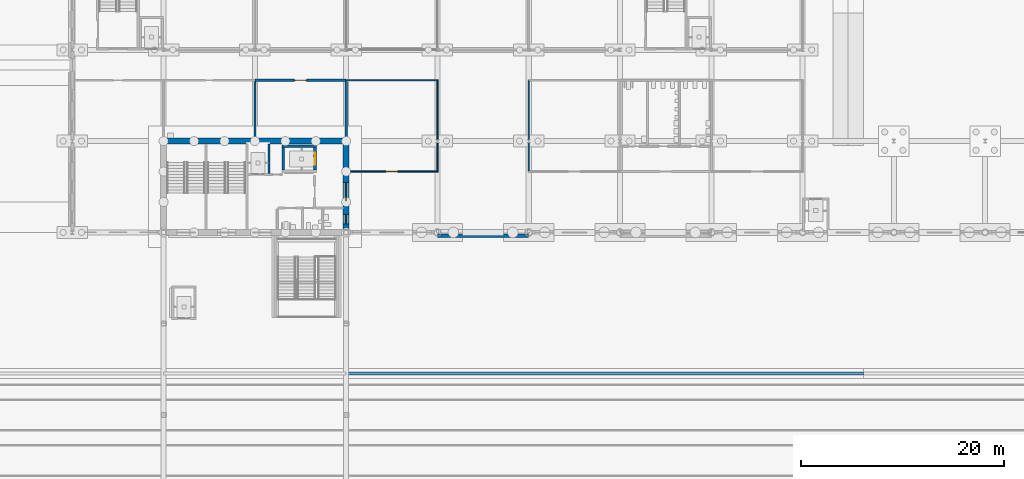
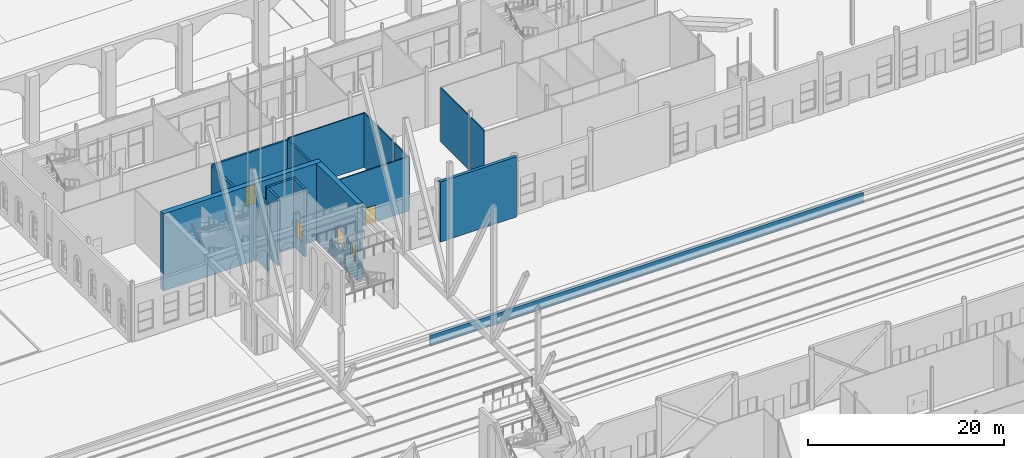
# One storey, part 109 of 250: 17 walls, 5 doors, 5 openings.
"""IFC4 building model written with IfcOpenShell, lengths in metres."""

from ifc_helpers import new_model, si_unit, direction, frame, frame_2d, origin, place, context, subcontext, project, spatial, polyline, rectangle, outline, extrude, material, layer, layer_set, type_object, element, fill, save


model = new_model("IFC4")

# Units and contexts
model_context = context("Model", 3, precision=1e-05, world=origin(), true_north=direction((0.0, 1.0)))
body_context = subcontext(model_context, "Body", "Model", "MODEL_VIEW")
ifc_project = project(units=[si_unit("LENGTHUNIT", "METRE"), si_unit("AREAUNIT", "SQUARE_METRE"), si_unit("VOLUMEUNIT", "CUBIC_METRE"), si_unit("PLANEANGLEUNIT", "RADIAN"), si_unit("MASSUNIT", "GRAM", prefix="KILO")], contexts=[model_context])

# Site, building, storey
site_placement = place(None, origin())
site = spatial("IfcSite", under=ifc_project, at=site_placement, CompositionType="ELEMENT")
building_placement = place(site_placement, origin())
building = spatial("IfcBuilding", under=site, at=building_placement, Name="Baradari Gate Terminus", CompositionType="ELEMENT")
storey_placement = place(building_placement, origin())
storey = spatial("IfcBuildingStorey", under=building, at=storey_placement, Name="L00", CompositionType="ELEMENT", Elevation=0.0)

# Wall
ifc_material_1 = material(Name="Concrete C40/50", Category="concrete")
ifc_layer_1 = layer(ifc_material_1, 0.60009765625)
ifc_layer_set_1 = layer_set([ifc_layer_1], Name="Concrete C40/50")
wall_type_1 = type_object("IfcWallType", Name="Abutment core wall CWL04 600", PredefinedType="SOLIDWALL", material=ifc_layer_set_1)
wall_1_placement = place(storey_placement, frame((71.699951171875, 90.0, -2.10009765625), z_axis=(0.0, 0.0, 1.0), x_axis=(1.0, 0.0, 0.0)))
element("IfcWall", 1, at=wall_1_placement, inside=storey, type_object=wall_type_1, Name="Abutment core wall GN N L00", PredefinedType="SOLIDWALL", context=body_context, shape_type="SweptSolid", body=[
    extrude(rectangle(XDim=18.60009765625, YDim=0.60009765625, at=frame_2d((9.300048828125, 0.0))), origin(), (0.0, 0.0, 1.0), 9.60009765625),
])

# Wall, openings, doors
wall_2_placement = place(storey_placement, frame((90.0, 81.300048828125, -2.10009765625), z_axis=(0.0, 0.0, 1.0), x_axis=(0.0, 1.0, 0.0)))
wall_2 = element("IfcWall", 2, at=wall_2_placement, inside=storey, type_object=wall_type_1, Name="Abutment core wall GN E L00", PredefinedType="SOLIDWALL", context=body_context, shape_type="SweptSolid", body=[
    extrude(rectangle(XDim=8.39990234375, YDim=0.60009765625, at=frame_2d((4.199951171875, 0.0))), origin(), (0.0, 0.0, 1.0), 9.60009765625),
])
opening_1_placement = place(wall_2_placement, frame((2.800048828125, 0.0, 2.10009765625)))
opening_1 = element("IfcOpeningElement", 3, at=opening_1_placement, cuts=wall_2, Name="Opening D00-156", PredefinedType="OPENING", context=body_context, shape_type="SweptSolid", body=[
    extrude(rectangle(XDim=1.800048828125, YDim=2.10009765625, at=frame_2d((0.89990234375, 1.050048828125))), frame((0.0, 0.31005859375, 0.0), z_axis=(0.0, -1.0, 0.0), x_axis=(1.0, 0.0, 0.0)), (0.0, 0.0, 1.0), 0.6201171875),
])
opening_2_placement = place(wall_2_placement, frame((0.550048828125, 0.0, 2.10009765625)))
opening_2 = element("IfcOpeningElement", 4, at=opening_2_placement, cuts=wall_2, Name="Opening D00-160", PredefinedType="OPENING", context=body_context, shape_type="SweptSolid", body=[
    extrude(rectangle(XDim=0.89990234375, YDim=2.10009765625, at=frame_2d((0.449951171875, 1.050048828125))), frame((0.0, 0.31005859375, 0.0), z_axis=(0.0, -1.0, 0.0), x_axis=(1.0, 0.0, 0.0)), (0.0, 0.0, 1.0), 0.6201171875),
])
ifc_material_2 = material(Name="Steel S275", Category="steel")
door_type_1 = type_object("IfcDoorType", Name="Fire door FI-1800-FD90S 1800x2100 FD90S", OperationType="DOUBLE_DOOR_SINGLE_SWING", PredefinedType="DOOR", material=ifc_material_2)
door_1_placement = place(opening_1_placement, origin())
door_1 = element("IfcDoor", 5, at=door_1_placement, inside=storey, type_object=door_type_1, Name="Door Lift Lobby (Fire-fighting)", OperationType="DOUBLE_DOOR_SINGLE_SWING", OverallHeight=2.1, OverallWidth=1.8, PredefinedType="DOOR", context=body_context, shape_type="SweptSolid", body=[
    extrude(outline(polyline([(0.0, 0.0), (0.070068359375, 0.0), (0.070068359375, 2.030029296875), (1.72998046875, 2.030029296875), (1.72998046875, 0.0), (1.800048828125, 0.0), (1.800048828125, 2.10009765625), (0.0, 2.10009765625), (0.0, 0.0)])), frame((0.0, 0.02490234375, 0.0), z_axis=(0.0, -1.0, 0.0), x_axis=(1.0, 0.0, 0.0)), (0.0, 0.0, 1.0), 0.050048828125),
    extrude(outline(polyline([(0.073974609375, 0.010009765625), (0.89697265625, 0.010009765625), (0.89697265625, 2.026123046875), (0.073974609375, 2.026123046875), (0.073974609375, 0.010009765625)]), holes=[polyline([(0.194091796875, 0.159912109375), (0.77685546875, 0.159912109375), (0.77685546875, 1.010009765625), (0.194091796875, 1.010009765625), (0.194091796875, 0.159912109375)]), polyline([(0.33544921875, 1.159912109375), (0.635498046875, 1.159912109375), (0.635498046875, 1.760009765625), (0.33544921875, 1.760009765625), (0.33544921875, 1.159912109375)])]), frame((0.0, 0.017333984375, 0.0), z_axis=(0.0, -1.0, 0.0), x_axis=(1.0, 0.0, 0.0)), (0.0, 0.0, 1.0), 0.034912109375),
    extrude(rectangle(XDim=0.582763671875, YDim=0.85009765625, at=frame_2d((0.4853515625, 0.5849609375))), frame((0.0, 0.008544921875, 0.0), z_axis=(0.0, -1.0, 0.0), x_axis=(1.0, 0.0, 0.0)), (0.0, 0.0, 1.0), 0.017333984375),
    extrude(rectangle(XDim=0.300048828125, YDim=0.60009765625, at=frame_2d((0.4853515625, 1.4599609375))), frame((0.0, 0.005859375, 0.0), z_axis=(0.0, -1.0, 0.0), x_axis=(1.0, 0.0, 0.0)), (0.0, 0.0, 1.0), 0.011962890625),
    extrude(outline(polyline([(0.903076171875, 0.010009765625), (1.72607421875, 0.010009765625), (1.72607421875, 2.026123046875), (0.903076171875, 2.026123046875), (0.903076171875, 0.010009765625)]), holes=[polyline([(1.023193359375, 0.159912109375), (1.60595703125, 0.159912109375), (1.60595703125, 1.010009765625), (1.023193359375, 1.010009765625), (1.023193359375, 0.159912109375)]), polyline([(1.16455078125, 1.159912109375), (1.464599609375, 1.159912109375), (1.464599609375, 1.760009765625), (1.16455078125, 1.760009765625), (1.16455078125, 1.159912109375)])]), frame((0.0, 0.017333984375, 0.0), z_axis=(0.0, -1.0, 0.0), x_axis=(1.0, 0.0, 0.0)), (0.0, 0.0, 1.0), 0.034912109375),
    extrude(rectangle(XDim=0.582763671875, YDim=0.85009765625, at=frame_2d((1.314453125, 0.5849609375))), frame((0.0, 0.008544921875, 0.0), z_axis=(0.0, -1.0, 0.0), x_axis=(1.0, 0.0, 0.0)), (0.0, 0.0, 1.0), 0.017333984375),
    extrude(rectangle(XDim=0.300048828125, YDim=0.60009765625, at=frame_2d((1.314453125, 1.4599609375))), frame((0.0, 0.005859375, 0.0), z_axis=(0.0, -1.0, 0.0), x_axis=(1.0, 0.0, 0.0)), (0.0, 0.0, 1.0), 0.011962890625),
])
fill(opening_1, door_1)
ifc_material_3 = material(Name="Steel S275", Category="steel")
door_type_2 = type_object("IfcDoorType", Name="Fire door FI-900-FD90S 900x2100 FD90S", OperationType="SINGLE_SWING_LEFT", PredefinedType="DOOR", material=ifc_material_3)
door_2_placement = place(opening_2_placement, origin())
door_2 = element("IfcDoor", 6, at=door_2_placement, inside=storey, type_object=door_type_2, Name="Door Female WC", OperationType="SINGLE_SWING_LEFT", OverallHeight=2.1, OverallWidth=0.9, PredefinedType="DOOR", context=body_context, shape_type="SweptSolid", body=[
    extrude(outline(polyline([(0.0, 0.0), (0.070068359375, 0.0), (0.070068359375, 2.030029296875), (0.829833984375, 2.030029296875), (0.829833984375, 0.0), (0.89990234375, 0.0), (0.89990234375, 2.10009765625), (0.0, 2.10009765625), (0.0, 0.0)])), frame((0.0, 0.02490234375, 0.0), z_axis=(0.0, -1.0, 0.0), x_axis=(1.0, 0.0, 0.0)), (0.0, 0.0, 1.0), 0.050048828125),
    extrude(outline(polyline([(0.073974609375, 0.010009765625), (0.825927734375, 0.010009765625), (0.825927734375, 2.026123046875), (0.073974609375, 2.026123046875), (0.073974609375, 0.010009765625)]), holes=[polyline([(0.194091796875, 0.159912109375), (0.705810546875, 0.159912109375), (0.705810546875, 1.010009765625), (0.194091796875, 1.010009765625), (0.194091796875, 0.159912109375)]), polyline([(0.300048828125, 1.159912109375), (0.599853515625, 1.159912109375), (0.599853515625, 1.760009765625), (0.300048828125, 1.760009765625), (0.300048828125, 1.159912109375)])]), frame((0.0, 0.017333984375, 0.0), z_axis=(0.0, -1.0, 0.0), x_axis=(1.0, 0.0, 0.0)), (0.0, 0.0, 1.0), 0.034912109375),
    extrude(rectangle(XDim=0.51171875, YDim=0.85009765625, at=frame_2d((0.449951171875, 0.5849609375))), frame((0.0, 0.008544921875, 0.0), z_axis=(0.0, -1.0, 0.0), x_axis=(1.0, 0.0, 0.0)), (0.0, 0.0, 1.0), 0.017333984375),
    extrude(rectangle(XDim=0.2998046875, YDim=0.60009765625, at=frame_2d((0.449951171875, 1.4599609375))), frame((0.0, 0.005859375, 0.0), z_axis=(0.0, -1.0, 0.0), x_axis=(1.0, 0.0, 0.0)), (0.0, 0.0, 1.0), 0.011962890625),
])
fill(opening_2, door_2)

# Wall
ifc_material_4 = material(Name="Gypsum board")
ifc_layer_2 = layer(ifc_material_4, 0.125)
ifc_layer_set_2 = layer_set([ifc_layer_2], Name="Gypsum board")
wall_type_2 = type_object("IfcWallType", Name="Corridor partition PT-5 125 EI 30", PredefinedType="PARTITIONING", material=ifc_layer_set_2)
wall_3_placement = place(storey_placement, frame((99.0625, 96.0, 0.0), z_axis=(0.0, 0.0, 1.0), x_axis=(-1.0, 0.0, 0.0)))
element("IfcWall", 7, at=wall_3_placement, inside=storey, type_object=wall_type_2, Name="PT-5 partition Corridor (Service Corridor West) / Left Luggage", PredefinedType="PARTITIONING", context=body_context, shape_type="SweptSolid", body=[
    extrude(rectangle(XDim=9.0625, YDim=0.125, at=frame_2d((4.53125, 0.0))), origin(), (0.0, 0.0, 1.0), 6.757080078125),
])

# Wall, opening, door
wall_4_placement = place(storey_placement, frame((90.302001953125, 87.0, 0.0), z_axis=(0.0, 0.0, 1.0), x_axis=(1.0, 0.0, 0.0)))
wall_4 = element("IfcWall", 8, at=wall_4_placement, inside=storey, type_object=wall_type_2, Name="PT-5 partition Corridor (Platform Passage West) / Left Luggage", PredefinedType="PARTITIONING", context=body_context, shape_type="SweptSolid", body=[
    extrude(rectangle(XDim=8.760498046875, YDim=0.125, at=frame_2d((4.38037109375, 0.0))), origin(), (0.0, 0.0, 1.0), 6.757080078125),
])
opening_3_placement = place(wall_4_placement, frame((3.597900390625, 0.0, 0.0)))
opening_3 = element("IfcOpeningElement", 9, at=opening_3_placement, cuts=wall_4, Name="Opening D00-104", PredefinedType="OPENING", context=body_context, shape_type="SweptSolid", body=[
    extrude(rectangle(XDim=1.199951171875, YDim=2.10009765625, at=frame_2d((0.60009765625, 1.050048828125))), frame((0.0, 0.072509765625, 0.0), z_axis=(0.0, -1.0, 0.0), x_axis=(1.0, 0.0, 0.0)), (0.0, 0.0, 1.0), 0.14501953125),
])
ifc_material_5 = material(Name="Steel S275", Category="steel")
door_type_3 = type_object("IfcDoorType", Name="Fire door FI-1200-FD30S 1200x2100 FD30S", OperationType="DOUBLE_DOOR_SINGLE_SWING", PredefinedType="DOOR", material=ifc_material_5)
door_3_placement = place(opening_3_placement, origin())
door_3 = element("IfcDoor", 10, at=door_3_placement, inside=storey, type_object=door_type_3, Name="Door Left Luggage", OperationType="DOUBLE_DOOR_SINGLE_SWING", OverallHeight=2.1, OverallWidth=1.2, PredefinedType="DOOR", context=body_context, shape_type="SweptSolid", body=[
    extrude(outline(polyline([(0.0, 0.0), (0.070068359375, 0.0), (0.070068359375, 2.030029296875), (1.1298828125, 2.030029296875), (1.1298828125, 0.0), (1.199951171875, 0.0), (1.199951171875, 2.10009765625), (0.0, 2.10009765625), (0.0, 0.0)])), frame((0.0, 0.02490234375, 0.0), z_axis=(0.0, -1.0, 0.0), x_axis=(1.0, 0.0, 0.0)), (0.0, 0.0, 1.0), 0.050048828125),
    extrude(outline(polyline([(0.073974609375, 0.010009765625), (0.596923828125, 0.010009765625), (0.596923828125, 2.026123046875), (0.073974609375, 2.026123046875), (0.073974609375, 0.010009765625)]), holes=[polyline([(0.178466796875, 0.372802734375), (0.492431640625, 0.372802734375), (0.492431640625, 1.7841796875), (0.178466796875, 1.7841796875), (0.178466796875, 0.372802734375)])]), frame((0.0, 0.017333984375, 0.0), z_axis=(0.0, -1.0, 0.0), x_axis=(1.0, 0.0, 0.0)), (0.0, 0.0, 1.0), 0.034912109375),
    extrude(rectangle(XDim=0.31396484375, YDim=1.411376953125, at=frame_2d((0.33544921875, 1.07861328125))), frame((0.0, 0.008544921875, 0.0), z_axis=(0.0, -1.0, 0.0), x_axis=(1.0, 0.0, 0.0)), (0.0, 0.0, 1.0), 0.017333984375),
    extrude(outline(polyline([(0.60302734375, 0.010009765625), (1.1259765625, 0.010009765625), (1.1259765625, 2.026123046875), (0.60302734375, 2.026123046875), (0.60302734375, 0.010009765625)]), holes=[polyline([(0.70751953125, 0.372802734375), (1.021484375, 0.372802734375), (1.021484375, 1.7841796875), (0.70751953125, 1.7841796875), (0.70751953125, 0.372802734375)])]), frame((0.0, 0.017333984375, 0.0), z_axis=(0.0, -1.0, 0.0), x_axis=(1.0, 0.0, 0.0)), (0.0, 0.0, 1.0), 0.034912109375),
    extrude(rectangle(XDim=0.31396484375, YDim=1.411376953125, at=frame_2d((0.864501953125, 1.07861328125))), frame((0.0, 0.008544921875, 0.0), z_axis=(0.0, -1.0, 0.0), x_axis=(1.0, 0.0, 0.0)), (0.0, 0.0, 1.0), 0.017333984375),
])
fill(opening_3, door_3)

# Walls
wall_5_placement = place(storey_placement, frame((108.0, 95.9375, 0.0), z_axis=(0.0, 0.0, 1.0), x_axis=(0.0, -1.0, 0.0)))
element("IfcWall", 11, at=wall_5_placement, inside=storey, type_object=wall_type_2, Name="PT-5 partition Corridor (Cross Passage West) / Travel Centre", PredefinedType="PARTITIONING", context=body_context, shape_type="SweptSolid", body=[
    extrude(rectangle(XDim=5.7802734375, YDim=0.125, at=frame_2d((2.89013671875, 0.0))), origin(), (0.0, 0.0, 1.0), 6.757080078125),
])
for number, where, z_axis, x_axis, name in (
    (12, (108.0, 89.8427734375, 0.0), (0.0, 0.0, 1.0), (0.0, -1.0, 0.0), "PT-5 partition Corridor (Cross Passage West) / Travel Centre"),
    (13, (99.0, 87.0625, 0.0), (0.0, 0.0, 1.0), (0.0, 1.0, 0.0), "PT-5 partition Corridor (Cross Passage West) / Left Luggage"),
):
    element("IfcWall", number, at=place(storey_placement, frame(where, z_axis=z_axis, x_axis=x_axis)), inside=storey, type_object=wall_type_2, Name=name, PredefinedType="PARTITIONING", context=body_context, shape_type="SweptSolid", body=[
        extrude(rectangle(XDim=2.7802734375, YDim=0.125, at=frame_2d((1.39013671875, 0.0))), origin(), (0.0, 0.0, 1.0), 6.757080078125),
    ])
wall_6_placement = place(storey_placement, frame((99.0, 90.1572265625, 0.0), z_axis=(0.0, 0.0, 1.0), x_axis=(0.0, 1.0, 0.0)))
element("IfcWall", 14, at=wall_6_placement, inside=storey, type_object=wall_type_2, Name="PT-5 partition Corridor (Cross Passage West) / Left Luggage", PredefinedType="PARTITIONING", context=body_context, shape_type="SweptSolid", body=[
    extrude(rectangle(XDim=5.7802734375, YDim=0.125, at=frame_2d((2.89013671875, 0.0))), origin(), (0.0, 0.0, 1.0), 6.757080078125),
])

# Wall, opening, door
ifc_material_6 = material(Name="Dense blockwork wall, plastered, fire rated", Category="masonry")
ifc_layer_3 = layer(ifc_material_6, 0.22509765625)
ifc_layer_set_3 = layer_set([ifc_layer_3], Name="Dense blockwork wall, plastered, fire rated")
wall_type_3 = type_object("IfcWallType", Name="Electrical room wall PT-8 225 EI 120", PredefinedType="PARTITIONING", material=ifc_layer_set_3)
wall_7_placement = place(storey_placement, frame((90.0, 96.0, 0.0), z_axis=(0.0, 0.0, 1.0), x_axis=(-1.0, 0.0, 0.0)))
wall_7 = element("IfcWall", 15, at=wall_7_placement, inside=storey, type_object=wall_type_3, Name="PT-8 partition Corridor (Service Corridor West) / Switch Room", PredefinedType="PARTITIONING", context=body_context, shape_type="SweptSolid", body=[
    extrude(rectangle(XDim=9.0, YDim=0.22509765625, at=frame_2d((4.5, 0.0))), origin(), (0.0, 0.0, 1.0), 6.60009765625),
])
opening_4_placement = place(wall_7_placement, frame((3.89990234375, 0.0, 0.0)))
opening_4 = element("IfcOpeningElement", 16, at=opening_4_placement, cuts=wall_7, Name="Opening D00-103", PredefinedType="OPENING", context=body_context, shape_type="SweptSolid", body=[
    extrude(rectangle(XDim=1.199951171875, YDim=2.39990234375, at=frame_2d((0.60009765625, 1.199951171875))), frame((0.0, 0.12255859375, 0.0), z_axis=(0.0, -1.0, 0.0), x_axis=(1.0, 0.0, 0.0)), (0.0, 0.0, 1.0), 0.2451171875),
])
ifc_material_7 = material(Name="Steel S275", Category="steel")
door_type_4 = type_object("IfcDoorType", Name="Fire door FI-1200x2400-FD90S 1200x2400 FD90S", OperationType="DOUBLE_DOOR_SINGLE_SWING", PredefinedType="DOOR", material=ifc_material_7)
door_4_placement = place(opening_4_placement, origin())
door_4 = element("IfcDoor", 17, at=door_4_placement, inside=storey, type_object=door_type_4, Name="Door Switch Room", OperationType="DOUBLE_DOOR_SINGLE_SWING", OverallHeight=2.4, OverallWidth=1.2, PredefinedType="DOOR", context=body_context, shape_type="SweptSolid", body=[
    extrude(outline(polyline([(0.0, 0.0), (0.070068359375, 0.0), (0.070068359375, 2.329833984375), (1.1298828125, 2.329833984375), (1.1298828125, 0.0), (1.199951171875, 0.0), (1.199951171875, 2.39990234375), (0.0, 2.39990234375), (0.0, 0.0)])), frame((0.0, 0.02490234375, 0.0), z_axis=(0.0, -1.0, 0.0), x_axis=(1.0, 0.0, 0.0)), (0.0, 0.0, 1.0), 0.050048828125),
    extrude(outline(polyline([(0.073974609375, 0.010009765625), (0.596923828125, 0.010009765625), (0.596923828125, 2.325927734375), (0.073974609375, 2.325927734375), (0.073974609375, 0.010009765625)]), holes=[polyline([(0.178466796875, 0.4267578125), (0.492431640625, 0.4267578125), (0.492431640625, 2.048095703125), (0.178466796875, 2.048095703125), (0.178466796875, 0.4267578125)])]), frame((0.0, 0.017333984375, 0.0), z_axis=(0.0, -1.0, 0.0), x_axis=(1.0, 0.0, 0.0)), (0.0, 0.0, 1.0), 0.034912109375),
    extrude(rectangle(XDim=0.31396484375, YDim=1.621337890625, at=frame_2d((0.33544921875, 1.2373046875))), frame((0.0, 0.008544921875, 0.0), z_axis=(0.0, -1.0, 0.0), x_axis=(1.0, 0.0, 0.0)), (0.0, 0.0, 1.0), 0.017333984375),
    extrude(outline(polyline([(0.60302734375, 0.010009765625), (1.1259765625, 0.010009765625), (1.1259765625, 2.325927734375), (0.60302734375, 2.325927734375), (0.60302734375, 0.010009765625)]), holes=[polyline([(0.70751953125, 0.4267578125), (1.021484375, 0.4267578125), (1.021484375, 2.048095703125), (0.70751953125, 2.048095703125), (0.70751953125, 0.4267578125)])]), frame((0.0, 0.017333984375, 0.0), z_axis=(0.0, -1.0, 0.0), x_axis=(1.0, 0.0, 0.0)), (0.0, 0.0, 1.0), 0.034912109375),
    extrude(rectangle(XDim=0.31396484375, YDim=1.621337890625, at=frame_2d((0.864501953125, 1.2373046875))), frame((0.0, 0.008544921875, 0.0), z_axis=(0.0, -1.0, 0.0), x_axis=(1.0, 0.0, 0.0)), (0.0, 0.0, 1.0), 0.017333984375),
])
fill(opening_4, door_4)

# Walls
for number, where, z_axis, x_axis, name in (
    (18, (81.0, 95.887451171875, 0.0), (0.0, 0.0, 1.0), (0.0, -1.0, 0.0), "PT-8 partition Cleaner's Store 1 / Switch Room"),
    (19, (90.0, 95.887451171875, 0.0), (0.0, 0.0, 1.0), (0.0, -1.0, 0.0), "PT-8 partition Switch Room / Left Luggage"),
):
    element("IfcWall", number, at=place(storey_placement, frame(where, z_axis=z_axis, x_axis=x_axis)), inside=storey, type_object=wall_type_3, Name=name, PredefinedType="PARTITIONING", context=body_context, shape_type="SweptSolid", body=[
        extrude(rectangle(XDim=5.58544921875, YDim=0.22509765625, at=frame_2d((2.792724609375, 0.0))), origin(), (0.0, 0.0, 1.0), 6.60009765625),
    ])
ifc_material_8 = material(Name="Concrete C32/40", Category="concrete")
ifc_layer_4 = layer(ifc_material_8, 0.25)
ifc_layer_set_4 = layer_set([ifc_layer_4], Name="Concrete C32/40")
wall_type_4 = type_object("IfcWallType", Name="Firefighting lift shaft wall SH-2 250 EI 120", PredefinedType="SOLIDWALL", material=ifc_layer_set_4)
wall_8_placement = place(storey_placement, frame((83.64990234375, 89.47509765625, -1.60009765625), z_axis=(0.0, 0.0, 1.0), x_axis=(1.0, 0.0, 0.0)))
element("IfcWall", 20, at=wall_8_placement, inside=storey, type_object=wall_type_4, Name="Lift shaft wall LGN2 L00 N", PredefinedType="SOLIDWALL", context=body_context, shape_type="SweptSolid", body=[
    extrude(rectangle(XDim=3.400146484375, YDim=0.25, at=frame_2d((1.7001953125, 0.0))), origin(), (0.0, 0.0, 1.0), 8.43603515625),
])
wall_9_placement = place(storey_placement, frame((83.77490234375, 87.14990234375, -1.60009765625), z_axis=(0.0, 0.0, 1.0), x_axis=(0.0, 1.0, 0.0)))
element("IfcWall", 21, at=wall_9_placement, inside=storey, type_object=wall_type_4, Name="Lift shaft wall LGN2 L00 W", PredefinedType="SOLIDWALL", context=body_context, shape_type="SweptSolid", body=[
    extrude(rectangle(XDim=2.2001953125, YDim=0.25, at=frame_2d((1.10009765625, 0.0))), origin(), (0.0, 0.0, 1.0), 8.43603515625),
])

# Wall, opening, door
wall_10_placement = place(storey_placement, frame((86.925048828125, 87.14990234375, -1.60009765625), z_axis=(0.0, 0.0, 1.0), x_axis=(0.0, 1.0, 0.0)))
wall_10 = element("IfcWall", 22, at=wall_10_placement, inside=storey, type_object=wall_type_4, Name="Lift shaft wall LGN2 L00 E", PredefinedType="SOLIDWALL", context=body_context, shape_type="SweptSolid", body=[
    extrude(rectangle(XDim=2.2001953125, YDim=0.25, at=frame_2d((1.10009765625, 0.0))), origin(), (0.0, 0.0, 1.0), 8.43603515625),
])
opening_5_placement = place(wall_10_placement, frame((0.5, 0.0, 1.60009765625)))
opening_5 = element("IfcOpeningElement", 23, at=opening_5_placement, cuts=wall_10, Name="Opening D00-069", PredefinedType="OPENING", context=body_context, shape_type="SweptSolid", body=[
    extrude(rectangle(XDim=1.199951171875, YDim=2.10009765625, at=frame_2d((0.60009765625, 1.050048828125))), frame((0.0, 0.135009765625, 0.0), z_axis=(0.0, -1.0, 0.0), x_axis=(1.0, 0.0, 0.0)), (0.0, 0.0, 1.0), 0.27001953125),
])
ifc_material_9 = material(Name="Stainless steel 1.4301", Category="steel")
door_type_5 = type_object("IfcDoorType", Name="Lift landing door LD2 1200x2100 E 120", OperationType="SLIDING_TO_LEFT", PredefinedType="DOOR", material=ifc_material_9)
door_5_placement = place(opening_5_placement, origin())
door_5 = element("IfcDoor", 24, at=door_5_placement, inside=storey, type_object=door_type_5, Name="Lift landing door LGN2 L00", OperationType="SLIDING_TO_LEFT", OverallHeight=2.1, OverallWidth=1.2, PredefinedType="DOOR", context=body_context, shape_type="SweptSolid", body=[
    extrude(outline(polyline([(0.0, 0.0), (0.070068359375, 0.0), (0.070068359375, 2.030029296875), (1.1298828125, 2.030029296875), (1.1298828125, 0.0), (1.199951171875, 0.0), (1.199951171875, 2.10009765625), (0.0, 2.10009765625), (0.0, 0.0)])), frame((0.0, 0.02490234375, 0.0), z_axis=(0.0, -1.0, 0.0), x_axis=(1.0, 0.0, 0.0)), (0.0, 0.0, 1.0), 0.050048828125),
    extrude(rectangle(XDim=0.57861328125, YDim=2.01611328125, at=frame_2d((0.36328125, 1.01806640625))), frame((0.0, 0.017822265625, 0.0), z_axis=(0.0, -1.0, 0.0), x_axis=(1.0, 0.0, 0.0)), (0.0, 0.0, 1.0), 0.015869140625),
    extrude(rectangle(XDim=0.57470703125, YDim=2.01611328125, at=frame_2d((0.838623046875, 1.01806640625))), frame((0.0, -0.002197265625, 0.0), z_axis=(0.0, -1.0, 0.0), x_axis=(1.0, 0.0, 0.0)), (0.0, 0.0, 1.0), 0.015869140625),
])
fill(opening_5, door_5)

# Walls
ifc_material_10 = material(Name="Blockwork wall, fire rated", Category="masonry")
ifc_layer_5 = layer(ifc_material_10, 0.199951171875)
ifc_layer_set_5 = layer_set([ifc_layer_5], Name="Blockwork wall, fire rated")
wall_type_5 = type_object("IfcWallType", Name="Lift shaft wall SH-1 200 EI 120", PredefinedType="SOLIDWALL", material=ifc_layer_set_5)
wall_11_placement = place(storey_placement, frame((82.39990234375, 86.800048828125, -1.60009765625), z_axis=(0.0, 0.0, 1.0), x_axis=(0.0, 1.0, 0.0)))
element("IfcWall", 25, at=wall_11_placement, inside=storey, type_object=wall_type_5, Name="Lift shaft wall LGN1 L00 E", PredefinedType="SOLIDWALL", context=body_context, shape_type="SweptSolid", body=[
    extrude(rectangle(XDim=2.89794921875, YDim=0.199951171875, at=frame_2d((1.448974609375, 0.0))), origin(), (0.0, 0.0, 1.0), 8.357177734375),
])
ifc_material_11 = material(Name="Concrete C40/50", Category="concrete")
ifc_layer_6 = layer(ifc_material_11, 0.300048828125)
ifc_layer_set_6 = layer_set([ifc_layer_6], Name="Concrete C40/50")
wall_type_6 = type_object("IfcWallType", Name="Platform edge wall CWL06 300", PredefinedType="SOLIDWALL", material=ifc_layer_set_6)
wall_12_placement = place(storey_placement, frame((90.0, 67.10009765625, -1.572021484375), z_axis=(0.0, 0.0, 1.0), x_axis=(1.0, 0.0, 0.0)))
element("IfcWall", 26, at=wall_12_placement, inside=storey, type_object=wall_type_6, Name="Platform 2 edge wall 2", PredefinedType="SOLIDWALL", context=body_context, shape_type="SweptSolid", body=[
    extrude(rectangle(XDim=51.0, YDim=0.300048828125, at=frame_2d((25.5, 0.0))), origin(), (0.0, 0.0, 1.0), 1.322021484375),
])
ifc_material_12 = material(Name="Sandstone masonry", Category="masonry")
ifc_layer_7 = layer(ifc_material_12, 0.35009765625)
ifc_layer_set_7 = layer_set([ifc_layer_7], Name="Sandstone masonry")
wall_type_7 = type_object("IfcWallType", Name="Sandstone masonry wall WS-1 350", PredefinedType="SOLIDWALL", material=ifc_layer_set_7)
wall_13_placement = place(storey_placement, frame((99.0, 80.68994140625, 0.0), z_axis=(0.0, 0.0, 1.0), x_axis=(1.0, 0.0, 0.0)))
element("IfcWall", 27, at=wall_13_placement, inside=storey, type_object=wall_type_7, Name="External wall platform side bay 11 L00", PredefinedType="SOLIDWALL", context=body_context, shape_type="SweptSolid", body=[
    extrude(rectangle(XDim=9.0, YDim=0.35009765625, at=frame_2d((4.5, 0.0))), origin(), (0.0, 0.0, 1.0), 7.5),
])

save(model, "model.ifc")
